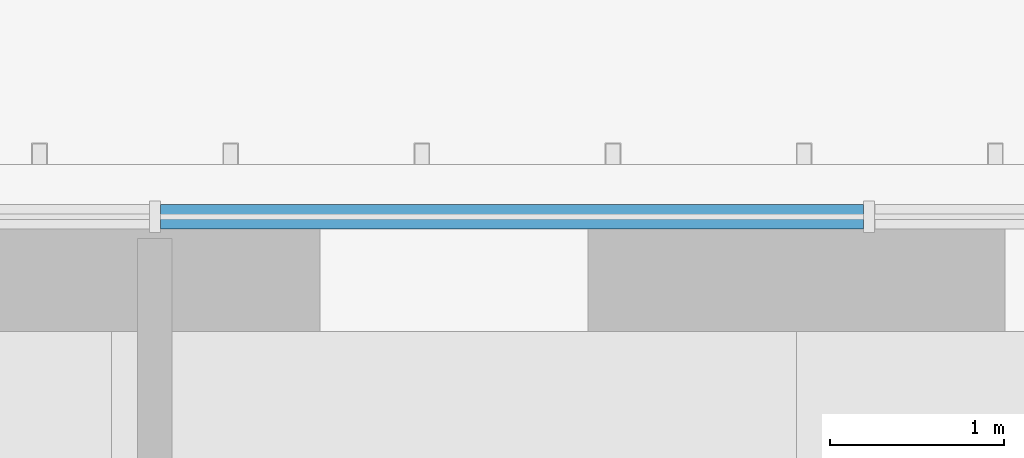
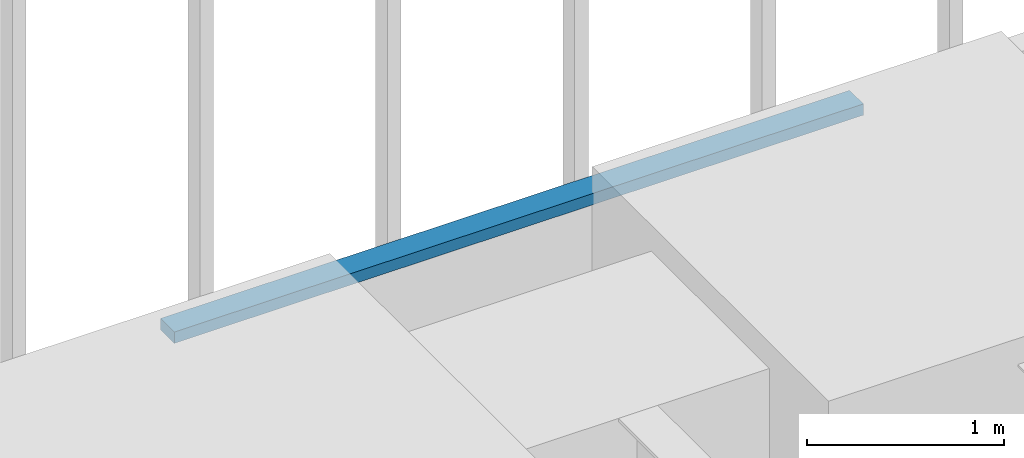
# One storey, part 206 of 238: 1 member, 1 element without a shape of its own.
"""IFC4 building model written with IfcOpenShell, lengths in metres."""

from ifc_helpers import new_model, si_unit, direction, frame, origin, origin_2d, place, context, subcontext, project, spatial, rectangle, extrude, material, material_profile, profile_set, type_object, element, aggregate, save


model = new_model("IFC4")

# Units and contexts
model_context = context("Model", 3, precision=1e-05, world=origin(), true_north=direction((0.0, 1.0)))
body_context = subcontext(model_context, "Body", "Model", "MODEL_VIEW")
ifc_project = project(units=[si_unit("LENGTHUNIT", "METRE"), si_unit("AREAUNIT", "SQUARE_METRE"), si_unit("VOLUMEUNIT", "CUBIC_METRE"), si_unit("PLANEANGLEUNIT", "RADIAN"), si_unit("MASSUNIT", "GRAM", prefix="KILO")], contexts=[model_context])

# Site, building, storey
site_placement = place(None, origin())
site = spatial("IfcSite", under=ifc_project, at=site_placement, CompositionType="ELEMENT")
building_placement = place(site_placement, origin())
building = spatial("IfcBuilding", under=site, at=building_placement, Name="Sandreach Pilgrim Tower", CompositionType="ELEMENT")
storey_placement = place(building_placement, frame((0.0, 0.0, 96.800048828125)))
storey = spatial("IfcBuildingStorey", under=building, at=storey_placement, Name="L23", CompositionType="ELEMENT", Elevation=96.800048828125)

# Curtain wall, member
ifc_material_1 = material(Name="Aluminium framed curtain wall", Category="aluminium")
curtain_wall_type = type_object("IfcCurtainWallType", Name="Hotel tower curtain wall", PredefinedType="NOTDEFINED", material=ifc_material_1)
curtain_wall_placement = place(storey_placement, origin())
curtain_wall = element("IfcCurtainWall", 1, at=curtain_wall_placement, inside=storey, type_object=curtain_wall_type, Name="CW-2 L23 N", PredefinedType="NOTDEFINED")
ifc_material_2 = material(Name="Aluminium extrusion", Category="aluminium")
ifc_material_profile = material_profile(ifc_material_2, rectangle(XDim=0.139892578125, YDim=0.070068359375, at=origin_2d()), Name="CW-2T 140X70")
ifc_profile_set = profile_set([ifc_material_profile], Name="Aluminium extrusion")
member_type = type_object("IfcMemberType", Name="CW-2 transom", PredefinedType="USERDEFINED", material=ifc_profile_set)
member_placement = place(storey_placement, frame((6.19287109375, 22.493896484375, 3.60498046875), z_axis=(1.0, 0.0, 0.0), x_axis=(0.0, 1.0, 0.0)))
member = element("IfcMember", 2, at=member_placement, type_object=member_type, Name="CW-2 head transom 7", ObjectType="TRANSOM", PredefinedType="USERDEFINED", context=body_context, shape_type="SweptSolid", body=[
    extrude(rectangle(XDim=0.139892578125, YDim=0.070068359375, at=origin_2d()), origin(), (0.0, 0.0, 1.0), 4.0419921875),
])
aggregate(curtain_wall, [member])

save(model, "model.ifc")
